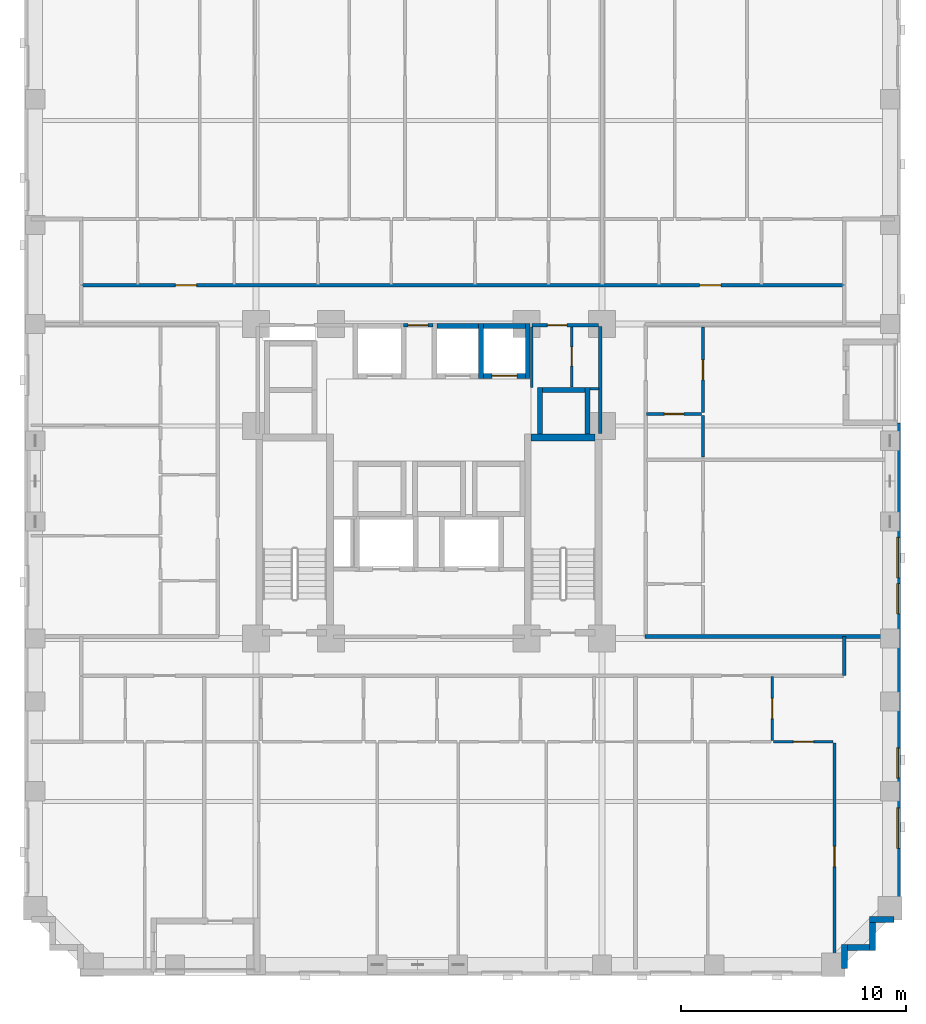
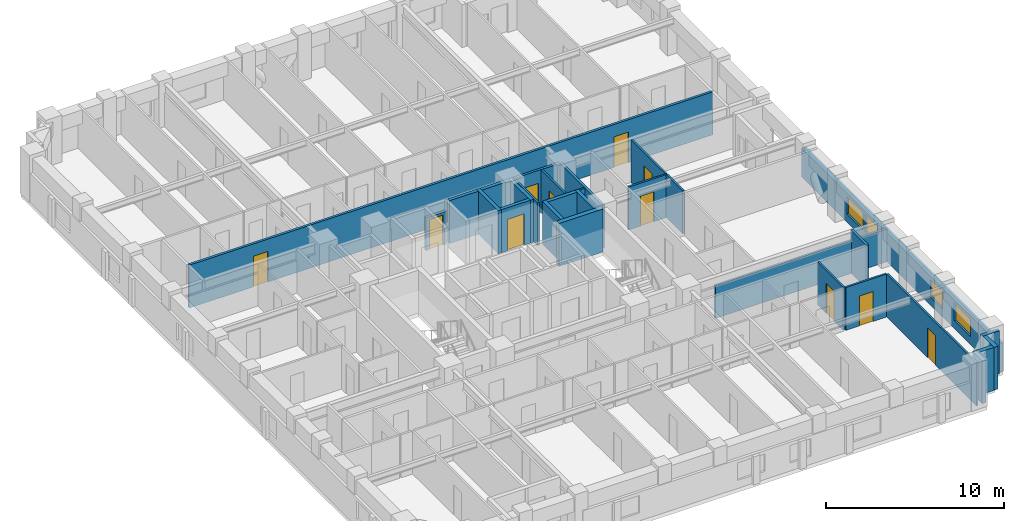
# One storey, part 6 of 14: 29 walls, 11 doors, 4 windows, 15 openings.
"""IFC4 building model written with IfcOpenShell, lengths in metres."""

import ifcopenshell
import ifcopenshell.guid

model = None  # the IFC model being written
_history = None  # IfcOwnerHistory: only IFC2X3 demands one
_inside = {}  # id of a spatial element -> (the spatial element, [elements in it])
_under = {}  # id of a project, library or spatial element -> (it, [spatial elements below it])
_declared = {}  # id of a project -> (the project, [libraries it declares])
_typed = {}  # id of a type object -> (the type object, [elements of that type])
_made_of = {}  # id of a material, layer set ... -> (it, [elements and type objects made of it])


def new_model(schema):
    """Start an empty IFC model of exactly this schema.

    Asked for "IFC4X3", IfcOpenShell would pick the latest addendum, in which some entities
    have other attributes; the version numbers below select the first issue.
    IFC2X3 requires an IfcOwnerHistory on every rooted entity: one is made here for all.
    """
    global model, _history
    if schema == "IFC4X3":
        model = ifcopenshell.file(schema_version=(4, 3, 0, 0))
    else:
        model = ifcopenshell.file(schema=schema)
    _inside.clear()
    _under.clear()
    _declared.clear()
    _typed.clear()
    _made_of.clear()
    _history = None
    if model.schema == "IFC2X3":
        org = make("IfcOrganization", Name="unknown")
        user = make(
            "IfcPersonAndOrganization",
            ThePerson=make("IfcPerson", FamilyName="unknown"),
            TheOrganization=org,
        )
        app = make(
            "IfcApplication",
            ApplicationDeveloper=org,
            Version="unknown",
            ApplicationFullName="unknown",
            ApplicationIdentifier="unknown",
        )
        _history = make(
            "IfcOwnerHistory",
            OwningUser=user,
            OwningApplication=app,
            ChangeAction="ADDED",
            CreationDate=0,
        )
    return model


def make(cls, **values):
    """One entity of the class cls with the attributes given. An attribute that is None is left unset."""
    return model.create_entity(
        cls, **{name: value for name, value in values.items() if value is not None}
    )


def rooted(cls, **values):
    """An entity with a GlobalId (a new one), such as an element, a storey or a relation."""
    return make(cls, GlobalId=ifcopenshell.guid.new(), OwnerHistory=_history, **values)


def si_unit(unit_type, name, prefix=None):
    """IfcSIUnit, for example si_unit("LENGTHUNIT", "METRE", prefix="MILLI")."""
    return make("IfcSIUnit", UnitType=unit_type, Prefix=prefix, Name=name)


def derived_unit(unit_type, elements):
    """IfcDerivedUnit: a product of units, each with its exponent."""
    return make(
        "IfcDerivedUnit",
        Elements=[
            make("IfcDerivedUnitElement", Unit=unit, Exponent=power)
            for unit, power in elements
        ],
        UnitType=unit_type,
    )


def assignment(units):
    """IfcUnitAssignment: the units of a project."""
    return None if units is None else make("IfcUnitAssignment", Units=units)


def point(xyz):
    """IfcCartesianPoint."""
    return None if xyz is None else make("IfcCartesianPoint", Coordinates=xyz)


def direction(xyz):
    """IfcDirection."""
    return None if xyz is None else make("IfcDirection", DirectionRatios=xyz)


def frame(location, z_axis=None, x_axis=None):
    """IfcAxis2Placement3D, a coordinate frame: its origin and axes. An axis left out is left unset."""
    return make(
        "IfcAxis2Placement3D",
        Location=point(location),
        Axis=direction(z_axis),
        RefDirection=direction(x_axis),
    )


def frame_2d(location, x_axis=None):
    """IfcAxis2Placement2D, a coordinate frame in the plane: its origin and x axis."""
    return make(
        "IfcAxis2Placement2D", Location=point(location), RefDirection=direction(x_axis)
    )


def origin():
    """The frame at (0, 0, 0) with its axes left unset."""
    return frame((0.0, 0.0, 0.0))


def place(relative_to, where):
    """IfcLocalPlacement: puts the frame where relative to a parent placement (None: the world)."""
    return make(
        "IfcLocalPlacement", PlacementRelTo=relative_to, RelativePlacement=where
    )


def context(
    kind, dimensions, precision=None, world=None, true_north=None, identifier=None
):
    """IfcGeometricRepresentationContext, for example the 3D "Model" context."""
    return make(
        "IfcGeometricRepresentationContext",
        ContextIdentifier=identifier,
        ContextType=kind,
        CoordinateSpaceDimension=dimensions,
        Precision=precision,
        WorldCoordinateSystem=world,
        TrueNorth=true_north,
    )


def subcontext(parent, identifier, kind, view, scale=None):
    """IfcGeometricRepresentationSubContext, for example "Body" below "Model"."""
    return make(
        "IfcGeometricRepresentationSubContext",
        ContextIdentifier=identifier,
        ContextType=kind,
        ParentContext=parent,
        TargetScale=scale,
        TargetView=view,
    )


def project(units=None, contexts=None):
    """IfcProject with its units and contexts."""
    return rooted(
        "IfcProject",
        Name="project",
        RepresentationContexts=contexts,
        UnitsInContext=assignment(units),
    )


def spatial(cls, under=None, at=None, **own):
    """A site, building, storey or space (cls), placed at a placement, below another one or the project."""
    s = rooted(cls, ObjectPlacement=at, **own)
    if under is not None:
        _under.setdefault(under.id(), (under, []))[1].append(s)
    return s


def profile(cls, at=None, kind="AREA", **sizes):
    """A parametric profile (cls). Its sizes go by their IFC names, for example OverallWidth=200.0."""
    return make(cls, ProfileType=kind, Position=at, **sizes)


def rectangle(**sizes):
    """IfcRectangleProfileDef."""
    return profile("IfcRectangleProfileDef", **sizes)


def extrude(swept, where, along, depth):
    """IfcExtrudedAreaSolid: the profile swept, set in the frame where, extruded along a direction by depth."""
    return make(
        "IfcExtrudedAreaSolid",
        SweptArea=swept,
        Position=where,
        ExtrudedDirection=direction(along),
        Depth=depth,
    )


def shape(context_of_items, identifier, shape_type, items):
    """IfcShapeRepresentation: the items that make up one representation, for example the "Body"."""
    return make(
        "IfcShapeRepresentation",
        ContextOfItems=context_of_items,
        RepresentationIdentifier=identifier,
        RepresentationType=shape_type,
        Items=items,
    )


def material(Name=None, Category=None):
    """IfcMaterial."""
    return make("IfcMaterial", Name=Name, Category=Category)


def layer(
    of_material, thickness, ventilated=None, Name=None, Category=None, Priority=None
):
    """IfcMaterialLayer: one layer of a wall or slab, of a material (None: an air gap)."""
    return make(
        "IfcMaterialLayer",
        Material=of_material,
        LayerThickness=thickness,
        IsVentilated=ventilated,
        Name=Name,
        Category=Category,
        Priority=Priority,
    )


def layer_set(layers, Name=None):
    """IfcMaterialLayerSet."""
    return make("IfcMaterialLayerSet", MaterialLayers=layers, LayerSetName=Name)


def made_of(thing, what):
    """Note that an element or type object is made of a material, layer set ...; save() writes the relation."""
    if what is not None:
        _made_of.setdefault(what.id(), (what, []))[1].append(thing)
    return thing


def type_object(cls, material=None, **own):
    """A type object (cls), such as IfcWallType, which elements share."""
    return made_of(rooted(cls, **own), material)


def element(
    cls,
    number,
    at=None,
    inside=None,
    cuts=None,
    type_object=None,
    material=None,
    context=None,
    identifier="Body",
    shape_type=None,
    held_by="IfcProductDefinitionShape",
    body=None,
    shapes=None,
    **own,
):
    """One element of the class cls, such as IfcWall. Its Tag is "e" and its number.

    at: its placement. inside: the storey or other place that contains it. cuts: it is an
    opening in that element (IfcRelVoidsElement). A single representation is given by context,
    identifier, shape_type and body (its items); several are given by shapes. held_by: the class
    of the entity that holds the representations. save() writes the other relations.
    """
    e = rooted(cls, Tag="e%d" % number, ObjectPlacement=at, **own)
    if body is not None:
        shapes = [shape(context, identifier, shape_type, body)]
    if shapes is not None:
        e.Representation = make(held_by, Representations=shapes)
    if inside is not None:
        _inside.setdefault(inside.id(), (inside, []))[1].append(e)
    if cuts is not None:
        rooted(
            "IfcRelVoidsElement", RelatingBuildingElement=cuts, RelatedOpeningElement=e
        )
    if type_object is not None:
        _typed.setdefault(type_object.id(), (type_object, []))[1].append(e)
    return made_of(e, material)


def fill(opening, filler):
    """IfcRelFillsElement: the door or window that sits in an opening."""
    return rooted(
        "IfcRelFillsElement",
        RelatingOpeningElement=opening,
        RelatedBuildingElement=filler,
    )


def aggregate(whole, parts):
    """IfcRelAggregates: a whole, such as a stair, and the parts it consists of."""
    return rooted("IfcRelAggregates", RelatingObject=whole, RelatedObjects=parts)


def save(model, path):
    """Write the relations noted so far, then the file.

    IfcRelAggregates (storeys below a building ...), IfcRelContainedInSpatialStructure (elements
    in a storey), IfcRelDefinesByType, IfcRelAssociatesMaterial and IfcRelDeclares: one each for
    every whole, place, type object, material and project.
    """
    for whole, parts in _under.values():
        aggregate(whole, parts)
    for where, things in _inside.values():
        rooted(
            "IfcRelContainedInSpatialStructure",
            RelatedElements=things,
            RelatingStructure=where,
        )
    for kind, things in _typed.values():
        rooted("IfcRelDefinesByType", RelatedObjects=things, RelatingType=kind)
    for what, things in _made_of.values():
        rooted("IfcRelAssociatesMaterial", RelatedObjects=things, RelatingMaterial=what)
    for by, libraries in _declared.values():
        rooted("IfcRelDeclares", RelatingContext=by, RelatedDefinitions=libraries)
    model.write(path)


model = new_model("IFC4")

# Units and contexts
model_context = context("Model", 3, precision=1e-05, world=origin(), true_north=direction((0.0, 1.0)))
body_context = subcontext(model_context, "Body", "Model", "MODEL_VIEW")
ifc_project = project(units=[si_unit("LENGTHUNIT", "METRE"), si_unit("AREAUNIT", "SQUARE_METRE"), si_unit("VOLUMEUNIT", "CUBIC_METRE"), si_unit("PLANEANGLEUNIT", "RADIAN"), si_unit("MASSUNIT", "GRAM", prefix="KILO"), derived_unit("THERMALTRANSMITTANCEUNIT", [(si_unit("MASSUNIT", "GRAM", prefix="KILO"), 1), (si_unit("TIMEUNIT", "SECOND"), -3), (si_unit("THERMODYNAMICTEMPERATUREUNIT", "KELVIN"), -1)])], contexts=[model_context])

# Site, building, storey
site_placement = place(None, origin())
site = spatial("IfcSite", under=ifc_project, at=site_placement, CompositionType="ELEMENT")
building_placement = place(site_placement, origin())
building = spatial("IfcBuilding", under=site, at=building_placement, Name="Korrvale Station Residences", CompositionType="ELEMENT")
storey_placement = place(building_placement, frame((0.0, 0.0, 51.39990234375)))
storey = spatial("IfcBuildingStorey", under=building, at=storey_placement, Name="L13", CompositionType="ELEMENT", Elevation=51.39990234375)

# Walls
ifc_material_1 = material(Name="Concrete C70/85", Category="concrete")
ifc_layer_1 = layer(ifc_material_1, 0.300048828125, Name="Concrete C70/85")
ifc_layer_set_1 = layer_set([ifc_layer_1], Name="Concrete C70/85")
wall_type_1 = type_object("IfcWallType", Name="WAL-CORE-300-C70", PredefinedType="SHEAR", material=ifc_layer_set_1)
wall_1_placement = place(storey_placement, frame((30.050048828125, 23.949951171875, 0.0), z_axis=(0.0, 0.0, 1.0), x_axis=(1.0, 0.0, 0.0)))
element("IfcWall", 1, at=wall_1_placement, inside=storey, type_object=wall_type_1, Name="L13 ST-2 Core Shear Wall North", PredefinedType="SHEAR", context=body_context, shape_type="SweptSolid", body=[
    extrude(rectangle(XDim=2.849853515625, YDim=0.300048828125, at=frame_2d((1.4248046875, 0.0))), origin(), (0.0, 0.0, 1.0), 2.940185546875),
])
ifc_material_2 = material(Name="Precast concrete C45/55", Category="concrete")
ifc_layer_2 = layer(ifc_material_2, 0.260009765625, Name="Precast concrete C45/55")
ifc_layer_set_2 = layer_set([ifc_layer_2], Name="Precast concrete C45/55")
wall_type_2 = type_object("IfcWallType", Name="WAL-EXT-LOG260", PredefinedType="SOLIDWALL", material=ifc_layer_set_2)
wall_2_placement = place(storey_placement, frame((46.197998046875, 2.5, 0.0), z_axis=(0.0, 0.0, 1.0), x_axis=(-1.0, 0.0, 0.0)))
element("IfcWall", 2, at=wall_2_placement, inside=storey, type_object=wall_type_2, Name="L13 Serrated Corner Precast Step SE-1", PredefinedType="SOLIDWALL", context=body_context, shape_type="SweptSolid", body=[
    extrude(rectangle(XDim=1.077880859375, YDim=0.260009765625, at=frame_2d((0.5390625, 0.0))), origin(), (0.0, 0.0, 1.0), 2.940185546875),
])
wall_3_placement = place(storey_placement, frame((45.25, 2.367919921875, 0.0), z_axis=(0.0, 0.0, 1.0), x_axis=(0.0, -1.0, 0.0)))
element("IfcWall", 3, at=wall_3_placement, inside=storey, type_object=wall_type_2, Name="L13 Serrated Corner Precast Step SE-2", PredefinedType="SOLIDWALL", context=body_context, shape_type="SweptSolid", body=[
    extrude(rectangle(XDim=1.247802734375, YDim=0.260009765625, at=frame_2d((0.6240234375, 0.0))), origin(), (0.0, 0.0, 1.0), 2.940185546875),
])
wall_4_placement = place(storey_placement, frame((45.117919921875, 1.25, 0.0), z_axis=(0.0, 0.0, 1.0), x_axis=(-1.0, 0.0, 0.0)))
element("IfcWall", 4, at=wall_4_placement, inside=storey, type_object=wall_type_2, Name="L13 Serrated Corner Precast Step SE-3", PredefinedType="SOLIDWALL", context=body_context, shape_type="SweptSolid", body=[
    extrude(rectangle(XDim=0.98583984375, YDim=0.260009765625, at=frame_2d((0.492919921875, 0.0))), origin(), (0.0, 0.0, 1.0), 2.940185546875),
])
wall_5_placement = place(storey_placement, frame((44.0, 1.3798828125, 0.0), z_axis=(0.0, 0.0, 1.0), x_axis=(0.0, -1.0, 0.0)))
element("IfcWall", 5, at=wall_5_placement, inside=storey, type_object=wall_type_2, Name="L13 Serrated Corner Precast Step SE-4", PredefinedType="SOLIDWALL", context=body_context, shape_type="SweptSolid", body=[
    extrude(rectangle(XDim=1.077880859375, YDim=0.260009765625, at=frame_2d((0.5390625, 0.0))), origin(), (0.0, 0.0, 1.0), 2.940185546875),
])

# Wall, openings, windows
ifc_layer_3 = layer(ifc_material_2, 0.300048828125, Name="Precast concrete C45/55")
ifc_layer_set_3 = layer_set([ifc_layer_3], Name="Precast concrete C45/55")
wall_type_3 = type_object("IfcWallType", Name="WAL-EXT-PC300", PredefinedType="SOLIDWALL", material=ifc_layer_set_3)
wall_6_placement = place(storey_placement, frame((46.35009765625, 24.60009765625, 0.0), z_axis=(0.0, 0.0, 1.0), x_axis=(0.0, -1.0, 0.0)))
wall_6 = element("IfcWall", 6, at=wall_6_placement, inside=storey, type_object=wall_type_3, Name="L13 East Exterior Precast Wall 2", PredefinedType="SOLIDWALL", context=body_context, shape_type="SweptSolid", body=[
    extrude(rectangle(XDim=22.10009765625, YDim=0.300048828125, at=frame_2d((11.050048828125, 0.0))), origin(), (0.0, 0.0, 1.0), 1.97509765625),
])
opening_1_placement = place(wall_6_placement, frame((17.14111328125, 0.0, 0.550048828125)))
opening_1 = element("IfcOpeningElement", 7, at=opening_1_placement, cuts=wall_6, Name="Opening W-09", PredefinedType="OPENING", context=body_context, shape_type="SweptSolid", body=[
    extrude(rectangle(XDim=1.800048828125, YDim=1.199951171875, at=frame_2d((0.89990234375, 0.60009765625))), frame((0.0, 0.16015625, 0.0), z_axis=(0.0, -1.0, 0.0), x_axis=(1.0, 0.0, 0.0)), (0.0, 0.0, 1.0), 0.320068359375),
])
opening_2_placement = place(wall_6_placement, frame((14.465087890625, 0.0, 0.550048828125)))
opening_2 = element("IfcOpeningElement", 8, at=opening_2_placement, cuts=wall_6, Name="Opening W-10", PredefinedType="OPENING", context=body_context, shape_type="SweptSolid", body=[
    extrude(rectangle(XDim=1.35009765625, YDim=1.199951171875, at=frame_2d((0.675048828125, 0.60009765625))), frame((0.0, 0.16015625, 0.0), z_axis=(0.0, -1.0, 0.0), x_axis=(1.0, 0.0, 0.0)), (0.0, 0.0, 1.0), 0.320068359375),
])
opening_3_placement = place(wall_6_placement, frame((5.10009765625, 0.0, 0.550048828125)))
opening_3 = element("IfcOpeningElement", 9, at=opening_3_placement, cuts=wall_6, Name="Opening W-09", PredefinedType="OPENING", context=body_context, shape_type="SweptSolid", body=[
    extrude(rectangle(XDim=1.800048828125, YDim=1.199951171875, at=frame_2d((0.89990234375, 0.60009765625))), frame((0.0, 0.16015625, 0.0), z_axis=(0.0, -1.0, 0.0), x_axis=(1.0, 0.0, 0.0)), (0.0, 0.0, 1.0), 0.320068359375),
])
opening_4_placement = place(wall_6_placement, frame((7.159912109375, 0.0, 0.550048828125)))
opening_4 = element("IfcOpeningElement", 10, at=opening_4_placement, cuts=wall_6, Name="Opening W-10", PredefinedType="OPENING", context=body_context, shape_type="SweptSolid", body=[
    extrude(rectangle(XDim=1.35009765625, YDim=1.199951171875, at=frame_2d((0.675048828125, 0.60009765625))), frame((0.0, 0.16015625, 0.0), z_axis=(0.0, -1.0, 0.0), x_axis=(1.0, 0.0, 0.0)), (0.0, 0.0, 1.0), 0.320068359375),
])
ifc_material_3 = material(Name="Thermally broken aluminium frame with triple low-e glazing", Category="aluminium")
window_type_1 = type_object("IfcWindowType", Name="WIN-W09", PartitioningType="DOUBLE_PANEL_VERTICAL", PredefinedType="WINDOW", material=ifc_material_3)
window_1_placement = place(opening_1_placement, origin())
window_1 = element("IfcWindow", 11, at=window_1_placement, inside=storey, type_object=window_type_1, Name="L13 Punched Window 09", OverallHeight=1.199951171875, OverallWidth=1.800048828125, PartitioningType="DOUBLE_PANEL_VERTICAL", PredefinedType="WINDOW", context=body_context, shape_type="SweptSolid", body=[
    extrude(rectangle(XDim=1.800048828125, YDim=1.199951171875, at=frame_2d((0.89990234375, 0.60009765625))), frame((0.0, 0.030029296875, 0.0), z_axis=(0.0, -1.0, 0.0), x_axis=(1.0, 0.0, 0.0)), (0.0, 0.0, 1.0), 0.06005859375),
])
fill(opening_1, window_1)
window_2_placement = place(opening_3_placement, origin())
window_2 = element("IfcWindow", 12, at=window_2_placement, inside=storey, type_object=window_type_1, Name="L13 Punched Window 23", OverallHeight=1.199951171875, OverallWidth=1.800048828125, PartitioningType="DOUBLE_PANEL_VERTICAL", PredefinedType="WINDOW", context=body_context, shape_type="SweptSolid", body=[
    extrude(rectangle(XDim=1.800048828125, YDim=1.199951171875, at=frame_2d((0.89990234375, 0.60009765625))), frame((0.0, 0.030029296875, 0.0), z_axis=(0.0, -1.0, 0.0), x_axis=(1.0, 0.0, 0.0)), (0.0, 0.0, 1.0), 0.06005859375),
])
fill(opening_3, window_2)
window_type_2 = type_object("IfcWindowType", Name="WIN-W10", PartitioningType="SINGLE_PANEL", PredefinedType="WINDOW", material=ifc_material_3)
window_3_placement = place(opening_2_placement, origin())
window_3 = element("IfcWindow", 13, at=window_3_placement, inside=storey, type_object=window_type_2, Name="L13 Punched Window 10", OverallHeight=1.199951171875, OverallWidth=1.35009765625, PartitioningType="SINGLE_PANEL", PredefinedType="WINDOW", context=body_context, shape_type="SweptSolid", body=[
    extrude(rectangle(XDim=1.35009765625, YDim=1.199951171875, at=frame_2d((0.675048828125, 0.60009765625))), frame((0.0, 0.030029296875, 0.0), z_axis=(0.0, -1.0, 0.0), x_axis=(1.0, 0.0, 0.0)), (0.0, 0.0, 1.0), 0.06005859375),
])
fill(opening_2, window_3)
window_4_placement = place(opening_4_placement, origin())
window_4 = element("IfcWindow", 14, at=window_4_placement, inside=storey, type_object=window_type_2, Name="L13 Punched Window 24", OverallHeight=1.199951171875, OverallWidth=1.35009765625, PartitioningType="SINGLE_PANEL", PredefinedType="WINDOW", context=body_context, shape_type="SweptSolid", body=[
    extrude(rectangle(XDim=1.35009765625, YDim=1.199951171875, at=frame_2d((0.675048828125, 0.60009765625))), frame((0.0, 0.030029296875, 0.0), z_axis=(0.0, -1.0, 0.0), x_axis=(1.0, 0.0, 0.0)), (0.0, 0.0, 1.0), 0.06005859375),
])
fill(opening_4, window_4)

# Walls
ifc_material_4 = material(Name="Acoustic steel-stud gypsum board partition", Category="steel")
ifc_layer_4 = layer(ifc_material_4, 0.1201171875, Name="Acoustic steel-stud gypsum board partition")
ifc_layer_set_4 = layer_set([ifc_layer_4], Name="Acoustic steel-stud gypsum board partition")
wall_type_4 = type_object("IfcWallType", Name="WAL-PART-125", PredefinedType="PARTITIONING", material=ifc_layer_set_4)
wall_7_placement = place(storey_placement, frame((30.080078125, 26.179931640625, 0.0), z_axis=(0.0, 0.0, 1.0), x_axis=(0.0, 1.0, 0.0)))
element("IfcWall", 15, at=wall_7_placement, inside=storey, type_object=wall_type_4, Name="L13 Core Partition CW-CS-W", PredefinedType="PARTITIONING", context=body_context, shape_type="SweptSolid", body=[
    extrude(rectangle(XDim=2.68017578125, YDim=0.1201171875, at=frame_2d((1.340087890625, 0.0))), origin(), (0.0, 0.0, 1.0), 2.940185546875),
])
wall_8_placement = place(storey_placement, frame((32.679931640625, 26.1201171875, 0.0), z_axis=(0.0, 0.0, 1.0), x_axis=(1.0, 0.0, 0.0)))
element("IfcWall", 16, at=wall_8_placement, inside=storey, type_object=wall_type_4, Name="L13 Core Partition CW-CS-S", PredefinedType="PARTITIONING", context=body_context, shape_type="SweptSolid", body=[
    extrude(rectangle(XDim=0.380126953125, YDim=0.1201171875, at=frame_2d((0.18994140625, 0.0))), origin(), (0.0, 0.0, 1.0), 2.940185546875),
])

# Wall, opening, door
wall_9_placement = place(storey_placement, frame((31.860107421875, 26.199951171875, 0.0), z_axis=(0.0, 0.0, 1.0), x_axis=(0.0, 1.0, 0.0)))
wall_9 = element("IfcWall", 17, at=wall_9_placement, inside=storey, type_object=wall_type_4, Name="L13 Core Partition CW-CS-MID", PredefinedType="PARTITIONING", context=body_context, shape_type="SweptSolid", body=[
    extrude(rectangle(XDim=2.66015625, YDim=0.1201171875, at=frame_2d((1.330078125, 0.0))), origin(), (0.0, 0.0, 1.0), 2.940185546875),
])
opening_5_placement = place(wall_9_placement, frame((0.919921875, 0.0, 0.0)))
opening_5 = element("IfcOpeningElement", 18, at=opening_5_placement, cuts=wall_9, Name="Opening DB-860", PredefinedType="OPENING", context=body_context, shape_type="SweptSolid", body=[
    extrude(rectangle(XDim=0.860107421875, YDim=2.050048828125, at=frame_2d((0.43017578125, 1.02490234375))), frame((0.0, 0.070068359375, 0.0), z_axis=(0.0, -1.0, 0.0), x_axis=(1.0, 0.0, 0.0)), (0.0, 0.0, 1.0), 0.14013671875),
])
ifc_material_5 = material(Name="Moisture-resistant solid-core bathroom door", Category="timber")
door_type_1 = type_object("IfcDoorType", Name="DR-BATH-860", OperationType="NOTDEFINED", PredefinedType="DOOR", material=ifc_material_5)
door_1_placement = place(opening_5_placement, origin())
door_1 = element("IfcDoor", 19, at=door_1_placement, inside=storey, type_object=door_type_1, Name="L13 Metering Inner Door", OperationType="SINGLE_SWING_LEFT", OverallHeight=2.050048828125, OverallWidth=0.860107421875, PredefinedType="DOOR", context=body_context, shape_type="SweptSolid", body=[
    extrude(rectangle(XDim=0.860107421875, YDim=2.050048828125, at=frame_2d((0.43017578125, 1.02490234375))), frame((0.0, 0.02490234375, 0.0), z_axis=(0.0, -1.0, 0.0), x_axis=(1.0, 0.0, 0.0)), (0.0, 0.0, 1.0), 0.050048828125),
])
fill(opening_5, door_1)

wall_10_placement = place(storey_placement, frame((40.785888671875, 10.4599609375, 0.0), z_axis=(0.0, 0.0, 1.0), x_axis=(0.0, 1.0, 0.0)))
wall_10 = element("IfcWall", 20, at=wall_10_placement, inside=storey, type_object=wall_type_4, Name="L13 Suite Partition U03-V12", PredefinedType="PARTITIONING", context=body_context, shape_type="SweptSolid", body=[
    extrude(rectangle(XDim=2.85009765625, YDim=0.1201171875, at=frame_2d((1.425048828125, 0.0))), origin(), (0.0, 0.0, 1.0), 2.940185546875),
])
opening_6_placement = place(wall_10_placement, frame((0.97509765625, 0.0, 0.0)))
opening_6 = element("IfcOpeningElement", 21, at=opening_6_placement, cuts=wall_10, Name="Opening DI-900", PredefinedType="OPENING", context=body_context, shape_type="SweptSolid", body=[
    extrude(rectangle(XDim=0.89990234375, YDim=2.050048828125, at=frame_2d((0.449951171875, 1.02490234375))), frame((0.0, 0.070068359375, 0.0), z_axis=(0.0, -1.0, 0.0), x_axis=(1.0, 0.0, 0.0)), (0.0, 0.0, 1.0), 0.14013671875),
])
ifc_material_6 = material(Name="Painted solid-core timber interior room door", Category="wood")
door_type_2 = type_object("IfcDoorType", Name="DR-INT-900", OperationType="NOTDEFINED", PredefinedType="DOOR", material=ifc_material_6)
door_2_placement = place(opening_6_placement, origin())
door_2 = element("IfcDoor", 22, at=door_2_placement, inside=storey, type_object=door_type_2, Name="L13 Studio Apartment L13-U03 Kitchen Door", OperationType="SINGLE_SWING_LEFT", OverallHeight=2.050048828125, OverallWidth=0.89990234375, PredefinedType="DOOR", context=body_context, shape_type="SweptSolid", body=[
    extrude(rectangle(XDim=0.89990234375, YDim=2.050048828125, at=frame_2d((0.449951171875, 1.02490234375))), frame((0.0, 0.02490234375, 0.0), z_axis=(0.0, -1.0, 0.0), x_axis=(1.0, 0.0, 0.0)), (0.0, 0.0, 1.0), 0.050048828125),
])
fill(opening_6, door_2)

wall_11_placement = place(storey_placement, frame((40.845947265625, 10.39990234375, 0.0), z_axis=(0.0, 0.0, 1.0), x_axis=(1.0, 0.0, 0.0)))
wall_11 = element("IfcWall", 23, at=wall_11_placement, inside=storey, type_object=wall_type_4, Name="L13 Suite Partition U03-H24", PredefinedType="PARTITIONING", context=body_context, shape_type="SweptSolid", body=[
    extrude(rectangle(XDim=2.64404296875, YDim=0.1201171875, at=frame_2d((1.322021484375, 0.0))), origin(), (0.0, 0.0, 1.0), 2.940185546875),
])
opening_7_placement = place(wall_11_placement, frame((0.8720703125, 0.0, 0.0)))
opening_7 = element("IfcOpeningElement", 24, at=opening_7_placement, cuts=wall_11, Name="Opening DI-900", PredefinedType="OPENING", context=body_context, shape_type="SweptSolid", body=[
    extrude(rectangle(XDim=0.89990234375, YDim=2.050048828125, at=frame_2d((0.449951171875, 1.02490234375))), frame((0.0, 0.070068359375, 0.0), z_axis=(0.0, -1.0, 0.0), x_axis=(1.0, 0.0, 0.0)), (0.0, 0.0, 1.0), 0.14013671875),
])
door_3_placement = place(opening_7_placement, origin())
door_3 = element("IfcDoor", 25, at=door_3_placement, inside=storey, type_object=door_type_2, Name="L13 Studio Apartment L13-U03 Utility and Laundry Room Door", OperationType="SINGLE_SWING_LEFT", OverallHeight=2.050048828125, OverallWidth=0.89990234375, PredefinedType="DOOR", context=body_context, shape_type="SweptSolid", body=[
    extrude(rectangle(XDim=0.89990234375, YDim=2.050048828125, at=frame_2d((0.449951171875, 1.02490234375))), frame((0.0, 0.02490234375, 0.0), z_axis=(0.0, -1.0, 0.0), x_axis=(1.0, 0.0, 0.0)), (0.0, 0.0, 1.0), 0.050048828125),
])
fill(opening_7, door_3)

wall_12_placement = place(storey_placement, frame((43.550048828125, 0.280029296875, 0.0), z_axis=(0.0, 0.0, 1.0), x_axis=(0.0, 1.0, 0.0)))
wall_12 = element("IfcWall", 26, at=wall_12_placement, inside=storey, type_object=wall_type_4, Name="L13 Suite Partition U03-V45", PredefinedType="PARTITIONING", context=body_context, shape_type="SweptSolid", body=[
    extrude(rectangle(XDim=10.06005859375, YDim=0.1201171875, at=frame_2d((5.030029296875, 0.0))), origin(), (0.0, 0.0, 1.0), 2.940185546875),
])
opening_8_placement = place(wall_12_placement, frame((4.56494140625, 0.0, 0.0)))
opening_8 = element("IfcOpeningElement", 27, at=opening_8_placement, cuts=wall_12, Name="Opening DI-900", PredefinedType="OPENING", context=body_context, shape_type="SweptSolid", body=[
    extrude(rectangle(XDim=0.89990234375, YDim=2.050048828125, at=frame_2d((0.449951171875, 1.02490234375))), frame((0.0, 0.070068359375, 0.0), z_axis=(0.0, -1.0, 0.0), x_axis=(1.0, 0.0, 0.0)), (0.0, 0.0, 1.0), 0.14013671875),
])
door_4_placement = place(opening_8_placement, origin())
door_4 = element("IfcDoor", 28, at=door_4_placement, inside=storey, type_object=door_type_2, Name="L13 Studio Apartment L13-U03 Studio Living Room Door", OperationType="SINGLE_SWING_LEFT", OverallHeight=2.050048828125, OverallWidth=0.89990234375, PredefinedType="DOOR", context=body_context, shape_type="SweptSolid", body=[
    extrude(rectangle(XDim=0.89990234375, YDim=2.050048828125, at=frame_2d((0.449951171875, 1.02490234375))), frame((0.0, 0.02490234375, 0.0), z_axis=(0.0, -1.0, 0.0), x_axis=(1.0, 0.0, 0.0)), (0.0, 0.0, 1.0), 0.050048828125),
])
fill(opening_8, door_4)

wall_13_placement = place(storey_placement, frame((35.18994140625, 24.991943359375, 0.0), z_axis=(0.0, 0.0, 1.0), x_axis=(1.0, 0.0, 0.0)))
wall_13 = element("IfcWall", 29, at=wall_13_placement, inside=storey, type_object=wall_type_4, Name="L13 Suite Partition U08-H01", PredefinedType="PARTITIONING", context=body_context, shape_type="SweptSolid", body=[
    extrude(rectangle(XDim=2.449951171875, YDim=0.1201171875, at=frame_2d((1.22509765625, 0.0))), origin(), (0.0, 0.0, 1.0), 2.940185546875),
])
opening_9_placement = place(wall_13_placement, frame((0.794921875, 0.0, 0.0)))
opening_9 = element("IfcOpeningElement", 30, at=opening_9_placement, cuts=wall_13, Name="Opening DB-860", PredefinedType="OPENING", context=body_context, shape_type="SweptSolid", body=[
    extrude(rectangle(XDim=0.860107421875, YDim=2.050048828125, at=frame_2d((0.43017578125, 1.02490234375))), frame((0.0, 0.070068359375, 0.0), z_axis=(0.0, -1.0, 0.0), x_axis=(1.0, 0.0, 0.0)), (0.0, 0.0, 1.0), 0.14013671875),
])
door_5_placement = place(opening_9_placement, origin())
door_5 = element("IfcDoor", 31, at=door_5_placement, inside=storey, type_object=door_type_1, Name="L13 Studio Apartment L13-U08 Bathroom Door", OperationType="SINGLE_SWING_LEFT", OverallHeight=2.050048828125, OverallWidth=0.860107421875, PredefinedType="DOOR", context=body_context, shape_type="SweptSolid", body=[
    extrude(rectangle(XDim=0.860107421875, YDim=2.050048828125, at=frame_2d((0.43017578125, 1.02490234375))), frame((0.0, 0.02490234375, 0.0), z_axis=(0.0, -1.0, 0.0), x_axis=(1.0, 0.0, 0.0)), (0.0, 0.0, 1.0), 0.050048828125),
])
fill(opening_9, door_5)

# Wall
wall_14_placement = place(storey_placement, frame((37.699951171875, 23.08203125, 0.0), z_axis=(0.0, 0.0, 1.0), x_axis=(0.0, 1.0, 0.0)))
element("IfcWall", 32, at=wall_14_placement, inside=storey, type_object=wall_type_4, Name="L13 Suite Partition U08-V02", PredefinedType="PARTITIONING", context=body_context, shape_type="SweptSolid", body=[
    extrude(rectangle(XDim=1.849853515625, YDim=0.1201171875, at=frame_2d((0.9248046875, 0.0))), origin(), (0.0, 0.0, 1.0), 2.940185546875),
])

# Wall, opening, door
wall_15_placement = place(storey_placement, frame((37.699951171875, 25.052001953125, 0.0), z_axis=(0.0, 0.0, 1.0), x_axis=(0.0, 1.0, 0.0)))
wall_15 = element("IfcWall", 33, at=wall_15_placement, inside=storey, type_object=wall_type_4, Name="L13 Suite Partition U08-V12", PredefinedType="PARTITIONING", context=body_context, shape_type="SweptSolid", body=[
    extrude(rectangle(XDim=3.80810546875, YDim=0.1201171875, at=frame_2d((1.904052734375, 0.0))), origin(), (0.0, 0.0, 1.0), 2.940185546875),
])
opening_10_placement = place(wall_15_placement, frame((1.4541015625, 0.0, 0.0)))
opening_10 = element("IfcOpeningElement", 34, at=opening_10_placement, cuts=wall_15, Name="Opening DI-900", PredefinedType="OPENING", context=body_context, shape_type="SweptSolid", body=[
    extrude(rectangle(XDim=0.89990234375, YDim=2.050048828125, at=frame_2d((0.449951171875, 1.02490234375))), frame((0.0, 0.070068359375, 0.0), z_axis=(0.0, -1.0, 0.0), x_axis=(1.0, 0.0, 0.0)), (0.0, 0.0, 1.0), 0.14013671875),
])
door_6_placement = place(opening_10_placement, origin())
door_6 = element("IfcDoor", 35, at=door_6_placement, inside=storey, type_object=door_type_2, Name="L13 Studio Apartment L13-U08 Kitchen Door", OperationType="SINGLE_SWING_RIGHT", OverallHeight=2.050048828125, OverallWidth=0.89990234375, PredefinedType="DOOR", context=body_context, shape_type="SweptSolid", body=[
    extrude(rectangle(XDim=0.89990234375, YDim=2.050048828125, at=frame_2d((0.449951171875, 1.02490234375))), frame((0.0, 0.02490234375, 0.0), z_axis=(0.0, -1.0, 0.0), x_axis=(1.0, 0.0, 0.0)), (0.0, 0.0, 1.0), 0.050048828125),
])
fill(opening_10, door_6)

# Wall
ifc_material_7 = material(Name="Fire-rated twin-stud gypsum and mineral wool shaftwall assembly", Category="gypsum")
ifc_layer_5 = layer(ifc_material_7, 0.159912109375, Name="Fire-rated twin-stud gypsum and mineral wool shaftwall assembly")
ifc_layer_set_5 = layer_set([ifc_layer_5], Name="Fire-rated twin-stud gypsum and mineral wool shaftwall assembly")
wall_type_5 = type_object("IfcWallType", Name="WAL-PART-200", PredefinedType="PARTITIONING", material=ifc_layer_set_5)
wall_16_placement = place(storey_placement, frame((33.1201171875, 24.1201171875, 0.0), z_axis=(0.0, 0.0, 1.0), x_axis=(0.0, 1.0, 0.0)))
element("IfcWall", 36, at=wall_16_placement, inside=storey, type_object=wall_type_5, Name="L13 Core Partition CW-E-N", PredefinedType="PARTITIONING", context=body_context, shape_type="SweptSolid", body=[
    extrude(rectangle(XDim=4.759765625, YDim=0.159912109375, at=frame_2d((2.3798828125, 0.0))), origin(), (0.0, 0.0, 1.0), 2.940185546875),
])

# Wall, opening, door
wall_17_placement = place(storey_placement, frame((24.360107421875, 28.949951171875, 0.0), z_axis=(0.0, 0.0, 1.0), x_axis=(1.0, 0.0, 0.0)))
wall_17 = element("IfcWall", 37, at=wall_17_placement, inside=storey, type_object=wall_type_5, Name="L13 Core Partition CW-LLOB-N", PredefinedType="PARTITIONING", context=body_context, shape_type="SweptSolid", body=[
    extrude(rectangle(XDim=1.31982421875, YDim=0.159912109375, at=frame_2d((0.659912109375, 0.0))), origin(), (0.0, 0.0, 1.0), 2.232177734375),
])
opening_11_placement = place(wall_17_placement, frame((0.2099609375, 0.0, 0.0)))
opening_11 = element("IfcOpeningElement", 38, at=opening_11_placement, cuts=wall_17, Name="Opening DI-900", PredefinedType="OPENING", context=body_context, shape_type="SweptSolid", body=[
    extrude(rectangle(XDim=0.89990234375, YDim=2.050048828125, at=frame_2d((0.449951171875, 1.02490234375))), frame((0.0, 0.08984375, 0.0), z_axis=(0.0, -1.0, 0.0), x_axis=(1.0, 0.0, 0.0)), (0.0, 0.0, 1.0), 0.179931640625),
])
door_7_placement = place(opening_11_placement, origin())
door_7 = element("IfcDoor", 39, at=door_7_placement, inside=storey, type_object=door_type_2, Name="L13 Central Hallway North Passage Door", OperationType="SINGLE_SWING_LEFT", OverallHeight=2.050048828125, OverallWidth=0.89990234375, PredefinedType="DOOR", context=body_context, shape_type="SweptSolid", body=[
    extrude(rectangle(XDim=0.89990234375, YDim=2.050048828125, at=frame_2d((0.449951171875, 1.02490234375))), frame((0.0, 0.02490234375, 0.0), z_axis=(0.0, -1.0, 0.0), x_axis=(1.0, 0.0, 0.0)), (0.0, 0.0, 1.0), 0.050048828125),
])
fill(opening_11, door_7)

wall_18_placement = place(storey_placement, frame((30.080078125, 28.949951171875, 0.0), z_axis=(0.0, 0.0, 1.0), x_axis=(1.0, 0.0, 0.0)))
wall_18 = element("IfcWall", 40, at=wall_18_placement, inside=storey, type_object=wall_type_5, Name="L13 Core Partition CW-CS-N", PredefinedType="PARTITIONING", context=body_context, shape_type="SweptSolid", body=[
    extrude(rectangle(XDim=2.9599609375, YDim=0.159912109375, at=frame_2d((1.47998046875, 0.0))), origin(), (0.0, 0.0, 1.0), 2.940185546875),
])
opening_12_placement = place(wall_18_placement, frame((0.695068359375, 0.0, 0.0)))
opening_12 = element("IfcOpeningElement", 41, at=opening_12_placement, cuts=wall_18, Name="Opening DB-860", PredefinedType="OPENING", context=body_context, shape_type="SweptSolid", body=[
    extrude(rectangle(XDim=0.860107421875, YDim=2.050048828125, at=frame_2d((0.43017578125, 1.02490234375))), frame((0.0, 0.08984375, 0.0), z_axis=(0.0, -1.0, 0.0), x_axis=(1.0, 0.0, 0.0)), (0.0, 0.0, 1.0), 0.179931640625),
])
door_8_placement = place(opening_12_placement, origin())
door_8 = element("IfcDoor", 42, at=door_8_placement, inside=storey, type_object=door_type_1, Name="L13 Housekeeping Supply Door", OperationType="SINGLE_SWING_RIGHT", OverallHeight=2.050048828125, OverallWidth=0.860107421875, PredefinedType="DOOR", context=body_context, shape_type="SweptSolid", body=[
    extrude(rectangle(XDim=0.860107421875, YDim=2.050048828125, at=frame_2d((0.43017578125, 1.02490234375))), frame((0.0, 0.02490234375, 0.0), z_axis=(0.0, -1.0, 0.0), x_axis=(1.0, 0.0, 0.0)), (0.0, 0.0, 1.0), 0.050048828125),
])
fill(opening_12, door_8)

# Walls
wall_19_placement = place(storey_placement, frame((43.97998046875, 13.35009765625, 0.0), z_axis=(0.0, 0.0, 1.0), x_axis=(0.0, 1.0, 0.0)))
element("IfcWall", 43, at=wall_19_placement, inside=storey, type_object=wall_type_5, Name="L13 Corridor South East Cap", PredefinedType="PARTITIONING", context=body_context, shape_type="SweptSolid", body=[
    extrude(rectangle(XDim=1.739990234375, YDim=0.159912109375, at=frame_2d((0.8701171875, 0.0))), origin(), (0.0, 0.0, 1.0), 2.940185546875),
])
wall_20_placement = place(storey_placement, frame((35.110107421875, 15.090087890625, 0.0), z_axis=(0.0, 0.0, 1.0), x_axis=(1.0, 0.0, 0.0)))
element("IfcWall", 44, at=wall_20_placement, inside=storey, type_object=wall_type_5, Name="L13 East Wing South Corridor Wall", PredefinedType="PARTITIONING", context=body_context, shape_type="SweptSolid", body=[
    extrude(rectangle(XDim=11.10986328125, YDim=0.159912109375, at=frame_2d((5.554931640625, 0.0))), origin(), (0.0, 0.0, 1.0), 2.232177734375),
])

# Wall, openings, doors
wall_21_placement = place(storey_placement, frame((10.050048828125, 30.719970703125, 0.0), z_axis=(0.0, 0.0, 1.0), x_axis=(1.0, 0.0, 0.0)))
wall_21 = element("IfcWall", 45, at=wall_21_placement, inside=storey, type_object=wall_type_5, Name="L13 Rated Corridor Wall N", PredefinedType="PARTITIONING", context=body_context, shape_type="SweptSolid", body=[
    extrude(rectangle(XDim=33.89990234375, YDim=0.159912109375, at=frame_2d((16.949951171875, 0.0))), origin(), (0.0, 0.0, 1.0), 2.940185546875),
])
opening_13_placement = place(wall_21_placement, frame((4.1650390625, 0.0, 0.0)))
opening_13 = element("IfcOpeningElement", 46, at=opening_13_placement, cuts=wall_21, Name="Opening UD-950", PredefinedType="OPENING", context=body_context, shape_type="SweptSolid", body=[
    extrude(rectangle(XDim=0.949951171875, YDim=2.10009765625, at=frame_2d((0.47509765625, 1.050048828125))), frame((0.0, 0.08984375, 0.0), z_axis=(0.0, -1.0, 0.0), x_axis=(1.0, 0.0, 0.0)), (0.0, 0.0, 1.0), 0.179931640625),
])
opening_14_placement = place(wall_21_placement, frame((27.4951171875, 0.0, 0.0)))
opening_14 = element("IfcOpeningElement", 47, at=opening_14_placement, cuts=wall_21, Name="Opening UD-950", PredefinedType="OPENING", context=body_context, shape_type="SweptSolid", body=[
    extrude(rectangle(XDim=0.949951171875, YDim=2.10009765625, at=frame_2d((0.47509765625, 1.050048828125))), frame((0.0, 0.08984375, 0.0), z_axis=(0.0, -1.0, 0.0), x_axis=(1.0, 0.0, 0.0)), (0.0, 0.0, 1.0), 0.179931640625),
])
ifc_material_8 = material(Name="Solid-core acoustic oak apartment entrance door", Category="timber")
door_type_3 = type_object("IfcDoorType", Name="DR-UNIT-950", OperationType="NOTDEFINED", PredefinedType="DOOR", material=ifc_material_8)
door_9_placement = place(opening_13_placement, origin())
door_9 = element("IfcDoor", 48, at=door_9_placement, inside=storey, type_object=door_type_3, Name="L13 Apartment L13-U04 Entrance Door", OperationType="SINGLE_SWING_RIGHT", OverallHeight=2.10009765625, OverallWidth=0.949951171875, PredefinedType="DOOR", context=body_context, shape_type="SweptSolid", body=[
    extrude(rectangle(XDim=0.949951171875, YDim=2.10009765625, at=frame_2d((0.47509765625, 1.050048828125))), frame((0.0, 0.02490234375, 0.0), z_axis=(0.0, -1.0, 0.0), x_axis=(1.0, 0.0, 0.0)), (0.0, 0.0, 1.0), 0.050048828125),
])
fill(opening_13, door_9)
door_10_placement = place(opening_14_placement, origin())
door_10 = element("IfcDoor", 49, at=door_10_placement, inside=storey, type_object=door_type_3, Name="L13 Apartment L13-U05 Entrance Door", OperationType="SINGLE_SWING_LEFT", OverallHeight=2.10009765625, OverallWidth=0.949951171875, PredefinedType="DOOR", context=body_context, shape_type="SweptSolid", body=[
    extrude(rectangle(XDim=0.949951171875, YDim=2.10009765625, at=frame_2d((0.47509765625, 1.050048828125))), frame((0.0, 0.02490234375, 0.0), z_axis=(0.0, -1.0, 0.0), x_axis=(1.0, 0.0, 0.0)), (0.0, 0.0, 1.0), 0.050048828125),
])
fill(opening_14, door_10)

# Walls
ifc_layer_6 = layer(ifc_material_1, 0.219970703125, Name="Concrete C70/85")
ifc_layer_set_6 = layer_set([ifc_layer_6], Name="Concrete C70/85")
wall_type_6 = type_object("IfcWallType", Name="WAL-SHAFT-220-C70", PredefinedType="SHEAR", material=ifc_layer_set_6)
wall_22_placement = place(storey_placement, frame((25.85009765625, 28.909912109375, 0.0), z_axis=(0.0, 0.0, 1.0), x_axis=(1.0, 0.0, 0.0)))
element("IfcWall", 50, at=wall_22_placement, inside=storey, type_object=wall_type_6, Name="L13 Elevator PL-2 Hoistway Wall North", PredefinedType="SHEAR", context=body_context, shape_type="SweptSolid", body=[
    extrude(rectangle(XDim=1.85986328125, YDim=0.219970703125, at=frame_2d((0.929931640625, 0.0))), origin(), (0.0, 0.0, 1.0), 2.940185546875),
])
wall_23_placement = place(storey_placement, frame((27.820068359375, 26.580078125, 0.0), z_axis=(0.0, 0.0, 1.0), x_axis=(0.0, 1.0, 0.0)))
element("IfcWall", 51, at=wall_23_placement, inside=storey, type_object=wall_type_6, Name="L13 Elevator PL-2 Hoistway Wall East", PredefinedType="SHEAR", context=body_context, shape_type="SweptSolid", body=[
    extrude(rectangle(XDim=2.43994140625, YDim=0.219970703125, at=frame_2d((1.219970703125, 0.0))), origin(), (0.0, 0.0, 1.0), 2.940185546875),
])

# Wall, opening, door
wall_24_placement = place(storey_placement, frame((27.929931640625, 26.68994140625, 0.0), z_axis=(0.0, 0.0, 1.0), x_axis=(1.0, 0.0, 0.0)))
wall_24 = element("IfcWall", 52, at=wall_24_placement, inside=storey, type_object=wall_type_6, Name="L13 Elevator PL-3 Hoistway Wall South", PredefinedType="SHEAR", context=body_context, shape_type="SweptSolid", body=[
    extrude(rectangle(XDim=1.860107421875, YDim=0.219970703125, at=frame_2d((0.93017578125, 0.0))), origin(), (0.0, 0.0, 1.0), 2.940185546875),
])
opening_15_placement = place(wall_24_placement, frame((0.3798828125, 0.0, 0.0)))
opening_15 = element("IfcOpeningElement", 53, at=opening_15_placement, cuts=wall_24, Name="Opening LD-1100", PredefinedType="OPENING", context=body_context, shape_type="SweptSolid", body=[
    extrude(rectangle(XDim=1.10009765625, YDim=2.14990234375, at=frame_2d((0.550048828125, 1.074951171875))), frame((0.0, 0.1201171875, 0.0), z_axis=(0.0, -1.0, 0.0), x_axis=(1.0, 0.0, 0.0)), (0.0, 0.0, 1.0), 0.239990234375),
])
ifc_material_9 = material(Name="Brushed stainless-steel elevator landing sliding door", Category="steel")
door_type_4 = type_object("IfcDoorType", Name="DR-LIFT-1100", OperationType="SLIDING_TO_LEFT", PredefinedType="DOOR", material=ifc_material_9)
door_11_placement = place(opening_15_placement, origin())
door_11 = element("IfcDoor", 54, at=door_11_placement, inside=storey, type_object=door_type_4, Name="L13 Elevator PL-3 Sliding Landing Door", OperationType="SLIDING_TO_LEFT", OverallHeight=2.14990234375, OverallWidth=1.10009765625, PredefinedType="DOOR", context=body_context, shape_type="SweptSolid", body=[
    extrude(rectangle(XDim=1.10009765625, YDim=2.14990234375, at=frame_2d((0.550048828125, 1.074951171875))), frame((0.0, 0.02490234375, 0.0), z_axis=(0.0, -1.0, 0.0), x_axis=(1.0, 0.0, 0.0)), (0.0, 0.0, 1.0), 0.050048828125),
])
fill(opening_15, door_11)

# Walls
wall_25_placement = place(storey_placement, frame((27.929931640625, 28.909912109375, 0.0), z_axis=(0.0, 0.0, 1.0), x_axis=(1.0, 0.0, 0.0)))
element("IfcWall", 55, at=wall_25_placement, inside=storey, type_object=wall_type_6, Name="L13 Elevator PL-3 Hoistway Wall North", PredefinedType="SHEAR", context=body_context, shape_type="SweptSolid", body=[
    extrude(rectangle(XDim=1.860107421875, YDim=0.219970703125, at=frame_2d((0.93017578125, 0.0))), origin(), (0.0, 0.0, 1.0), 2.940185546875),
])
wall_26_placement = place(storey_placement, frame((29.89990234375, 26.580078125, 0.0), z_axis=(0.0, 0.0, 1.0), x_axis=(0.0, 1.0, 0.0)))
element("IfcWall", 56, at=wall_26_placement, inside=storey, type_object=wall_type_6, Name="L13 Elevator PL-3 Hoistway Wall East", PredefinedType="SHEAR", context=body_context, shape_type="SweptSolid", body=[
    extrude(rectangle(XDim=2.43994140625, YDim=0.219970703125, at=frame_2d((1.219970703125, 0.0))), origin(), (0.0, 0.0, 1.0), 2.940185546875),
])
wall_27_placement = place(storey_placement, frame((30.550048828125, 26.06005859375, 0.0), z_axis=(0.0, 0.0, 1.0), x_axis=(1.0, 0.0, 0.0)))
element("IfcWall", 57, at=wall_27_placement, inside=storey, type_object=wall_type_6, Name="L13 Elevator PH-3 Hoistway Wall North", PredefinedType="SHEAR", context=body_context, shape_type="SweptSolid", body=[
    extrude(rectangle(XDim=1.89990234375, YDim=0.219970703125, at=frame_2d((0.949951171875, 0.0))), origin(), (0.0, 0.0, 1.0), 2.940185546875),
])
for number, where, z_axis, x_axis, name in (
    (58, (30.43994140625, 24.10009765625, 0.0), (0.0, 0.0, 1.0), (0.0, 1.0, 0.0), "L13 Elevator PH-3 Hoistway Wall West"),
    (59, (32.56005859375, 24.10009765625, 0.0), (0.0, 0.0, 1.0), (0.0, 1.0, 0.0), "L13 Elevator PH-3 Hoistway Wall East"),
):
    element("IfcWall", number, at=place(storey_placement, frame(where, z_axis=z_axis, x_axis=x_axis)), inside=storey, type_object=wall_type_6, Name=name, PredefinedType="SHEAR", context=body_context, shape_type="SweptSolid", body=[
        extrude(rectangle(XDim=2.06982421875, YDim=0.219970703125, at=frame_2d((1.034912109375, 0.0))), origin(), (0.0, 0.0, 1.0), 2.940185546875),
    ])

save(model, "model.ifc")
